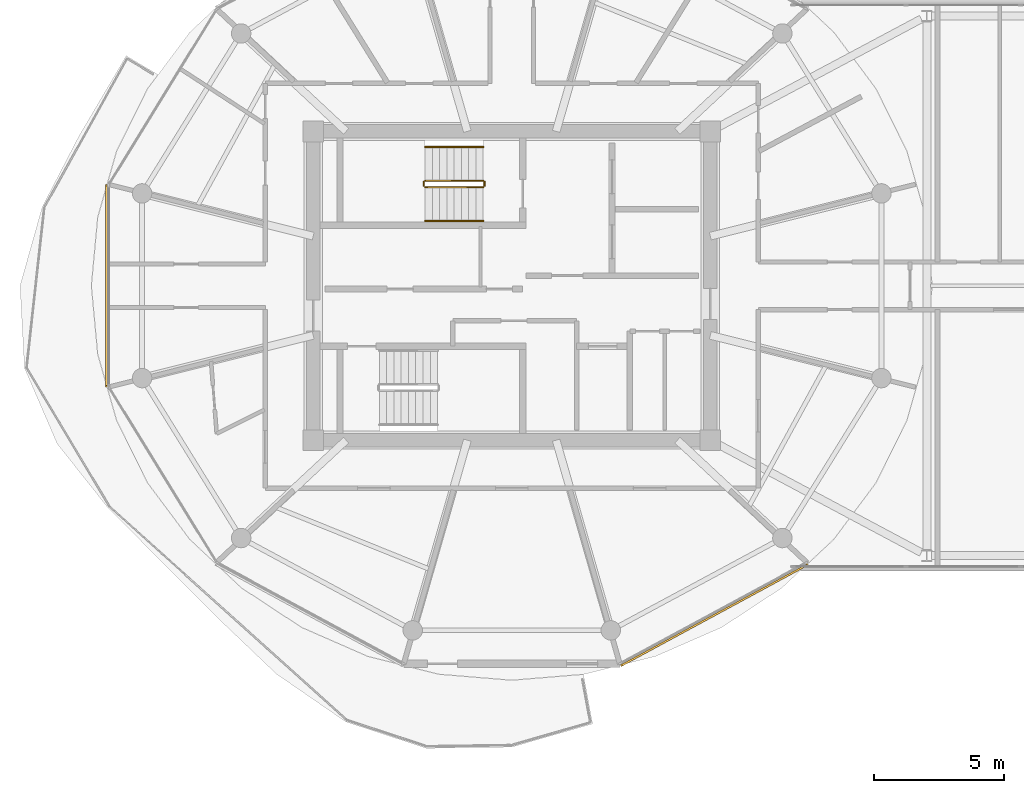
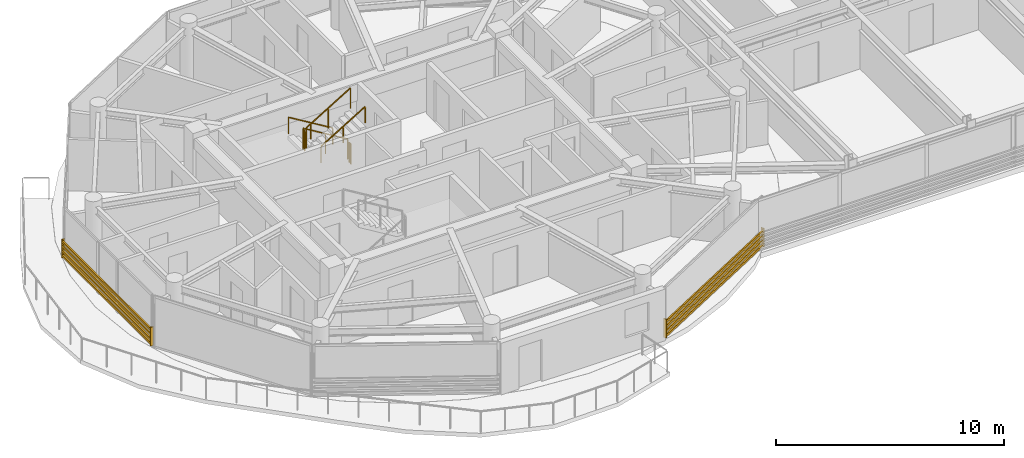
# One storey, part 22 of 24: 6 railings, 2 shading devices.
"""IFC4 building model written with IfcOpenShell, lengths in metres."""

import ifcopenshell
import ifcopenshell.guid

model = None  # the IFC model being written
_history = None  # IfcOwnerHistory: only IFC2X3 demands one
_inside = {}  # id of a spatial element -> (the spatial element, [elements in it])
_under = {}  # id of a project, library or spatial element -> (it, [spatial elements below it])
_declared = {}  # id of a project -> (the project, [libraries it declares])
_typed = {}  # id of a type object -> (the type object, [elements of that type])
_made_of = {}  # id of a material, layer set ... -> (it, [elements and type objects made of it])


def new_model(schema):
    """Start an empty IFC model of exactly this schema.

    Asked for "IFC4X3", IfcOpenShell would pick the latest addendum, in which some entities
    have other attributes; the version numbers below select the first issue.
    IFC2X3 requires an IfcOwnerHistory on every rooted entity: one is made here for all.
    """
    global model, _history
    if schema == "IFC4X3":
        model = ifcopenshell.file(schema_version=(4, 3, 0, 0))
    else:
        model = ifcopenshell.file(schema=schema)
    _inside.clear()
    _under.clear()
    _declared.clear()
    _typed.clear()
    _made_of.clear()
    _history = None
    if model.schema == "IFC2X3":
        org = make("IfcOrganization", Name="unknown")
        user = make(
            "IfcPersonAndOrganization",
            ThePerson=make("IfcPerson", FamilyName="unknown"),
            TheOrganization=org,
        )
        app = make(
            "IfcApplication",
            ApplicationDeveloper=org,
            Version="unknown",
            ApplicationFullName="unknown",
            ApplicationIdentifier="unknown",
        )
        _history = make(
            "IfcOwnerHistory",
            OwningUser=user,
            OwningApplication=app,
            ChangeAction="ADDED",
            CreationDate=0,
        )
    return model


def make(cls, **values):
    """One entity of the class cls with the attributes given. An attribute that is None is left unset."""
    return model.create_entity(
        cls, **{name: value for name, value in values.items() if value is not None}
    )


def rooted(cls, **values):
    """An entity with a GlobalId (a new one), such as an element, a storey or a relation."""
    return make(cls, GlobalId=ifcopenshell.guid.new(), OwnerHistory=_history, **values)


def si_unit(unit_type, name, prefix=None):
    """IfcSIUnit, for example si_unit("LENGTHUNIT", "METRE", prefix="MILLI")."""
    return make("IfcSIUnit", UnitType=unit_type, Prefix=prefix, Name=name)


def assignment(units):
    """IfcUnitAssignment: the units of a project."""
    return None if units is None else make("IfcUnitAssignment", Units=units)


def point(xyz):
    """IfcCartesianPoint."""
    return None if xyz is None else make("IfcCartesianPoint", Coordinates=xyz)


def direction(xyz):
    """IfcDirection."""
    return None if xyz is None else make("IfcDirection", DirectionRatios=xyz)


def frame(location, z_axis=None, x_axis=None):
    """IfcAxis2Placement3D, a coordinate frame: its origin and axes. An axis left out is left unset."""
    return make(
        "IfcAxis2Placement3D",
        Location=point(location),
        Axis=direction(z_axis),
        RefDirection=direction(x_axis),
    )


def frame_2d(location, x_axis=None):
    """IfcAxis2Placement2D, a coordinate frame in the plane: its origin and x axis."""
    return make(
        "IfcAxis2Placement2D", Location=point(location), RefDirection=direction(x_axis)
    )


def origin():
    """The frame at (0, 0, 0) with its axes left unset."""
    return frame((0.0, 0.0, 0.0))


def origin_2d():
    """The frame at (0, 0) in the plane with its x axis left unset."""
    return frame_2d((0.0, 0.0))


def place(relative_to, where):
    """IfcLocalPlacement: puts the frame where relative to a parent placement (None: the world)."""
    return make(
        "IfcLocalPlacement", PlacementRelTo=relative_to, RelativePlacement=where
    )


def context(
    kind, dimensions, precision=None, world=None, true_north=None, identifier=None
):
    """IfcGeometricRepresentationContext, for example the 3D "Model" context."""
    return make(
        "IfcGeometricRepresentationContext",
        ContextIdentifier=identifier,
        ContextType=kind,
        CoordinateSpaceDimension=dimensions,
        Precision=precision,
        WorldCoordinateSystem=world,
        TrueNorth=true_north,
    )


def subcontext(parent, identifier, kind, view, scale=None):
    """IfcGeometricRepresentationSubContext, for example "Body" below "Model"."""
    return make(
        "IfcGeometricRepresentationSubContext",
        ContextIdentifier=identifier,
        ContextType=kind,
        ParentContext=parent,
        TargetScale=scale,
        TargetView=view,
    )


def project(units=None, contexts=None):
    """IfcProject with its units and contexts."""
    return rooted(
        "IfcProject",
        Name="project",
        RepresentationContexts=contexts,
        UnitsInContext=assignment(units),
    )


def spatial(cls, under=None, at=None, **own):
    """A site, building, storey or space (cls), placed at a placement, below another one or the project."""
    s = rooted(cls, ObjectPlacement=at, **own)
    if under is not None:
        _under.setdefault(under.id(), (under, []))[1].append(s)
    return s


def profile(cls, at=None, kind="AREA", **sizes):
    """A parametric profile (cls). Its sizes go by their IFC names, for example OverallWidth=200.0."""
    return make(cls, ProfileType=kind, Position=at, **sizes)


def rectangle(**sizes):
    """IfcRectangleProfileDef."""
    return profile("IfcRectangleProfileDef", **sizes)


def extrude(swept, where, along, depth):
    """IfcExtrudedAreaSolid: the profile swept, set in the frame where, extruded along a direction by depth."""
    return make(
        "IfcExtrudedAreaSolid",
        SweptArea=swept,
        Position=where,
        ExtrudedDirection=direction(along),
        Depth=depth,
    )


def shape(context_of_items, identifier, shape_type, items):
    """IfcShapeRepresentation: the items that make up one representation, for example the "Body"."""
    return make(
        "IfcShapeRepresentation",
        ContextOfItems=context_of_items,
        RepresentationIdentifier=identifier,
        RepresentationType=shape_type,
        Items=items,
    )


def source(mapping_origin, context_of_items, identifier, shape_type, items):
    """IfcRepresentationMap: a shape defined once, which mapped items show again and again."""
    return make(
        "IfcRepresentationMap",
        MappingOrigin=mapping_origin,
        MappedRepresentation=shape(context_of_items, identifier, shape_type, items),
    )


def transform(
    local_origin,
    x_axis=None,
    y_axis=None,
    z_axis=None,
    scale=None,
    scale2=None,
    scale3=None,
    uniform=True,
):
    """IfcCartesianTransformationOperator3D, or its non-uniform kind. x_axis, y_axis, z_axis: its Axis1, 2, 3."""
    if uniform:
        return make(
            "IfcCartesianTransformationOperator3D",
            Axis1=direction(x_axis),
            Axis2=direction(y_axis),
            LocalOrigin=point(local_origin),
            Scale=scale,
            Axis3=direction(z_axis),
        )
    return make(
        "IfcCartesianTransformationOperator3DnonUniform",
        Axis1=direction(x_axis),
        Axis2=direction(y_axis),
        LocalOrigin=point(local_origin),
        Scale=scale,
        Axis3=direction(z_axis),
        Scale2=scale2,
        Scale3=scale3,
    )


def mapped(mapping_source, mapping_target):
    """IfcMappedItem: shows the shape of a source again, moved by a transform."""
    return make(
        "IfcMappedItem", MappingSource=mapping_source, MappingTarget=mapping_target
    )


def material(Name=None, Category=None):
    """IfcMaterial."""
    return make("IfcMaterial", Name=Name, Category=Category)


def made_of(thing, what):
    """Note that an element or type object is made of a material, layer set ...; save() writes the relation."""
    if what is not None:
        _made_of.setdefault(what.id(), (what, []))[1].append(thing)
    return thing


def type_object(cls, material=None, **own):
    """A type object (cls), such as IfcWallType, which elements share."""
    return made_of(rooted(cls, **own), material)


def type_shapes(of_type, sources):
    """Give a type object the sources (RepresentationMaps) that its elements show as mapped items."""
    of_type.RepresentationMaps = sources


def element(
    cls,
    number,
    at=None,
    inside=None,
    cuts=None,
    type_object=None,
    material=None,
    context=None,
    identifier="Body",
    shape_type=None,
    held_by="IfcProductDefinitionShape",
    body=None,
    shapes=None,
    **own,
):
    """One element of the class cls, such as IfcWall. Its Tag is "e" and its number.

    at: its placement. inside: the storey or other place that contains it. cuts: it is an
    opening in that element (IfcRelVoidsElement). A single representation is given by context,
    identifier, shape_type and body (its items); several are given by shapes. held_by: the class
    of the entity that holds the representations. save() writes the other relations.
    """
    e = rooted(cls, Tag="e%d" % number, ObjectPlacement=at, **own)
    if body is not None:
        shapes = [shape(context, identifier, shape_type, body)]
    if shapes is not None:
        e.Representation = make(held_by, Representations=shapes)
    if inside is not None:
        _inside.setdefault(inside.id(), (inside, []))[1].append(e)
    if cuts is not None:
        rooted(
            "IfcRelVoidsElement", RelatingBuildingElement=cuts, RelatedOpeningElement=e
        )
    if type_object is not None:
        _typed.setdefault(type_object.id(), (type_object, []))[1].append(e)
    return made_of(e, material)


def aggregate(whole, parts):
    """IfcRelAggregates: a whole, such as a stair, and the parts it consists of."""
    return rooted("IfcRelAggregates", RelatingObject=whole, RelatedObjects=parts)


def save(model, path):
    """Write the relations noted so far, then the file.

    IfcRelAggregates (storeys below a building ...), IfcRelContainedInSpatialStructure (elements
    in a storey), IfcRelDefinesByType, IfcRelAssociatesMaterial and IfcRelDeclares: one each for
    every whole, place, type object, material and project.
    """
    for whole, parts in _under.values():
        aggregate(whole, parts)
    for where, things in _inside.values():
        rooted(
            "IfcRelContainedInSpatialStructure",
            RelatedElements=things,
            RelatingStructure=where,
        )
    for kind, things in _typed.values():
        rooted("IfcRelDefinesByType", RelatedObjects=things, RelatingType=kind)
    for what, things in _made_of.values():
        rooted("IfcRelAssociatesMaterial", RelatedObjects=things, RelatingMaterial=what)
    for by, libraries in _declared.values():
        rooted("IfcRelDeclares", RelatingContext=by, RelatedDefinitions=libraries)
    model.write(path)


model = new_model("IFC4")

# Units and contexts
model_context = context("Model", 3, precision=1e-05, world=origin(), true_north=direction((0.0, 1.0)))
body_context = subcontext(model_context, "Body", "Model", "MODEL_VIEW")
ifc_project = project(units=[si_unit("LENGTHUNIT", "METRE"), si_unit("AREAUNIT", "SQUARE_METRE"), si_unit("VOLUMEUNIT", "CUBIC_METRE"), si_unit("PLANEANGLEUNIT", "RADIAN"), si_unit("MASSUNIT", "GRAM", prefix="KILO")], contexts=[model_context])

# Site, building, storey
site_placement = place(None, origin())
site = spatial("IfcSite", under=ifc_project, at=site_placement, CompositionType="ELEMENT")
building_placement = place(site_placement, origin())
building = spatial("IfcBuilding", under=site, at=building_placement, Name="Norrkilde Senior Care Towers", CompositionType="ELEMENT")
storey_placement = place(building_placement, frame((0.0, 0.0, 223.050048828125)))
storey = spatial("IfcBuildingStorey", under=building, at=storey_placement, Name="L69", CompositionType="ELEMENT", Elevation=223.050048828125)

# Railings
ifc_material_1 = material(Name="Stainless Steel", Category="steel")
railing_type_1 = type_object("IfcRailingType", Name="Stair and Terrace Guardrail 1100", PredefinedType="GUARDRAIL", material=ifc_material_1)
railing_1_placement = place(storey_placement, frame((-29.10009765625, 4.050048828125, 0.16943359375)))
element("IfcRailing", 1, at=railing_1_placement, inside=storey, type_object=railing_type_1, Name="L69 ST-W1 stair guard 1", PredefinedType="GUARDRAIL", context=body_context, shape_type="SweptSolid", body=[
    extrude(rectangle(XDim=0.048095703125, YDim=0.048095703125, at=origin_2d()), frame((0.0, 0.0, 1.076171875), z_axis=(-0.855553338991, 0.0, 0.51771467445), x_axis=(0.0, -1.0, 0.0)), (0.0, 0.0, 1.0), 2.6181640625),
    extrude(rectangle(XDim=0.0419921875, YDim=0.0419921875, at=origin_2d()), origin(), (0.0, 0.0, 1.0), 1.050048828125),
    extrude(rectangle(XDim=0.0419921875, YDim=0.0419921875, at=origin_2d()), frame((-1.1201171875, 0.0, 0.677734375)), (0.0, 0.0, 1.0), 1.050048828125),
    extrude(rectangle(XDim=0.0419921875, YDim=0.0419921875, at=origin_2d()), frame((-2.239990234375, 0.0, 1.35546875)), (0.0, 0.0, 1.0), 1.050048828125),
])
railing_2_placement = place(storey_placement, frame((-31.389892578125, 4.0, 1.52490234375)))
element("IfcRailing", 2, at=railing_2_placement, inside=storey, type_object=railing_type_1, Name="L69 ST-W1 stair guard 2", PredefinedType="GUARDRAIL", context=body_context, shape_type="SweptSolid", body=[
    extrude(rectangle(XDim=0.048095703125, YDim=0.048095703125, at=origin_2d()), frame((0.0, 0.0, 1.076171875), z_axis=(0.0, -1.0, 0.0), x_axis=(1.0, 0.0, 0.0)), (0.0, 0.0, 1.0), 0.14990234375),
    extrude(rectangle(XDim=0.0419921875, YDim=0.0419921875, at=origin_2d()), origin(), (0.0, 0.0, 1.0), 1.050048828125),
    extrude(rectangle(XDim=0.0419921875, YDim=0.0419921875, at=origin_2d()), frame((0.0, -0.14990234375, 0.0)), (0.0, 0.0, 1.0), 1.050048828125),
])
railing_3_placement = place(storey_placement, frame((-31.340087890625, 3.800048828125, 1.6943359375)))
element("IfcRailing", 3, at=railing_3_placement, inside=storey, type_object=railing_type_1, Name="L69 ST-W1 stair guard 3", PredefinedType="GUARDRAIL", context=body_context, shape_type="SweptSolid", body=[
    extrude(rectangle(XDim=0.048095703125, YDim=0.048095703125, at=origin_2d()), frame((0.0, 0.0, 1.076171875), z_axis=(0.855512035549, 0.0, 0.517782924622), x_axis=(0.0, 1.0, 0.0)), (0.0, 0.0, 1.0), 2.618408203125),
    extrude(rectangle(XDim=0.0419921875, YDim=0.0419921875, at=origin_2d()), origin(), (0.0, 0.0, 1.0), 1.050048828125),
    extrude(rectangle(XDim=0.0419921875, YDim=0.0419921875, at=origin_2d()), frame((1.1201171875, 0.0, 0.677734375)), (0.0, 0.0, 1.0), 1.050048828125),
    extrude(rectangle(XDim=0.0419921875, YDim=0.0419921875, at=origin_2d()), frame((2.239990234375, 0.0, 1.355712890625)), (0.0, 0.0, 1.0), 1.050048828125),
])
railing_4_placement = place(storey_placement, frame((-29.050048828125, 4.0, 0.0)))
element("IfcRailing", 4, at=railing_4_placement, inside=storey, type_object=railing_type_1, Name="L69 ST-W1 stair guard 4", PredefinedType="GUARDRAIL", context=body_context, shape_type="SweptSolid", body=[
    extrude(rectangle(XDim=0.048095703125, YDim=0.048095703125, at=origin_2d()), frame((0.0, 0.0, 1.076171875), z_axis=(0.0, -1.0, 0.0), x_axis=(1.0, 0.0, 0.0)), (0.0, 0.0, 1.0), 0.14990234375),
    extrude(rectangle(XDim=0.0419921875, YDim=0.0419921875, at=origin_2d()), origin(), (0.0, 0.0, 1.0), 1.050048828125),
    extrude(rectangle(XDim=0.0419921875, YDim=0.0419921875, at=origin_2d()), frame((0.0, -0.14990234375, 0.0)), (0.0, 0.0, 1.0), 1.050048828125),
])
ifc_material_2 = material(Name="Nordic Ash Timber", Category="wood")
railing_type_2 = type_object("IfcRailingType", Name="Wall and Stair Handrail 900", PredefinedType="HANDRAIL", material=ifc_material_2)
railing_5_placement = place(storey_placement, frame((-29.10009765625, 5.35009765625, 0.16943359375)))
element("IfcRailing", 5, at=railing_5_placement, inside=storey, type_object=railing_type_2, Name="L69 ST-W1 stair handrail 1", PredefinedType="HANDRAIL", context=body_context, shape_type="SweptSolid", body=[
    extrude(rectangle(XDim=0.048095703125, YDim=0.048095703125, at=origin_2d()), frame((0.0, 0.0, 0.8759765625), z_axis=(-0.855553338991, 0.0, 0.51771467445), x_axis=(0.0, -1.0, 0.0)), (0.0, 0.0, 1.0), 2.6181640625),
    extrude(rectangle(XDim=0.0419921875, YDim=0.0419921875, at=origin_2d()), origin(), (0.0, 0.0, 1.0), 0.849853515625),
    extrude(rectangle(XDim=0.0419921875, YDim=0.0419921875, at=origin_2d()), frame((-1.1201171875, 0.0, 0.677734375)), (0.0, 0.0, 1.0), 0.849853515625),
    extrude(rectangle(XDim=0.0419921875, YDim=0.0419921875, at=origin_2d()), frame((-2.239990234375, 0.0, 1.35546875)), (0.0, 0.0, 1.0), 0.849853515625),
])
railing_6_placement = place(storey_placement, frame((-31.340087890625, 2.5, 1.6943359375)))
element("IfcRailing", 6, at=railing_6_placement, inside=storey, type_object=railing_type_2, Name="L69 ST-W1 stair handrail 2", PredefinedType="HANDRAIL", context=body_context, shape_type="SweptSolid", body=[
    extrude(rectangle(XDim=0.048095703125, YDim=0.048095703125, at=origin_2d()), frame((0.0, 0.0, 0.8759765625), z_axis=(0.855512035549, 0.0, 0.517782924622), x_axis=(0.0, 1.0, 0.0)), (0.0, 0.0, 1.0), 2.618408203125),
    extrude(rectangle(XDim=0.0419921875, YDim=0.0419921875, at=origin_2d()), origin(), (0.0, 0.0, 1.0), 0.849853515625),
    extrude(rectangle(XDim=0.0419921875, YDim=0.0419921875, at=origin_2d()), frame((1.1201171875, 0.0, 0.677734375)), (0.0, 0.0, 1.0), 0.849853515625),
    extrude(rectangle(XDim=0.0419921875, YDim=0.0419921875, at=origin_2d()), frame((2.239990234375, 0.0, 1.355712890625)), (0.0, 0.0, 1.0), 0.849853515625),
])

# Shading devices
ifc_material_3 = material(Name="Architectural Terracotta", Category="masonry")
shading_device_type = type_object("IfcShadingDeviceType", Name="Horizontal Terracotta Baguette Rack", PredefinedType="USERDEFINED", material=ifc_material_3)
shared_shape_1 = source(origin(), body_context, "Body", "SweptSolid", [
    extrude(rectangle(XDim=0.070068359375, YDim=0.110107421875, at=origin_2d()), frame((0.0, 0.090087890625, 0.125), z_axis=(1.0, 0.0, 0.0), x_axis=(0.0, 1.0, 0.0)), (0.0, 0.0, 1.0), 8.197265625),
    extrude(rectangle(XDim=0.070068359375, YDim=0.110107421875, at=origin_2d()), frame((0.0, 0.090087890625, 0.375), z_axis=(1.0, 0.0, 0.0), x_axis=(0.0, 1.0, 0.0)), (0.0, 0.0, 1.0), 8.197265625),
    extrude(rectangle(XDim=0.070068359375, YDim=0.110107421875, at=origin_2d()), frame((0.0, 0.090087890625, 0.625), z_axis=(1.0, 0.0, 0.0), x_axis=(0.0, 1.0, 0.0)), (0.0, 0.0, 1.0), 8.197265625),
    extrude(rectangle(XDim=0.070068359375, YDim=0.110107421875, at=origin_2d()), frame((0.0, 0.090087890625, 0.875), z_axis=(1.0, 0.0, 0.0), x_axis=(0.0, 1.0, 0.0)), (0.0, 0.0, 1.0), 8.197265625),
    extrude(rectangle(XDim=0.050048828125, YDim=0.1552734375, at=origin_2d()), frame((0.02490234375, 0.047607421875, 0.0)), (0.0, 0.0, 1.0), 1.0),
    extrude(rectangle(XDim=0.050048828125, YDim=0.1552734375, at=origin_2d()), frame((8.17236328125, 0.047607421875, 0.0)), (0.0, 0.0, 1.0), 1.0),
])
shading_device_1_placement = place(storey_placement, frame((-16.629638671875, -10.6630859375, 0.079833984375), z_axis=(0.0, 0.0, 1.0), x_axis=(-0.879378127234, -0.476143674053, 0.0)))
element("IfcShadingDevice", 7, at=shading_device_1_placement, inside=storey, type_object=shading_device_type, Name="L69 Drum W Terracotta Baguette Screen 09", ObjectType="BAGUETTE", PredefinedType="USERDEFINED", context=body_context, shape_type="MappedRepresentation", body=[
    mapped(shared_shape_1, transform((0.0, 0.0, 0.0), x_axis=(1.0, 0.0, 0.0), y_axis=(0.0, 1.0, 0.0), z_axis=(0.0, 0.0, 1.0), scale=1.0)),
])
shared_shape_2 = source(origin(), body_context, "Body", "SweptSolid", [
    extrude(rectangle(XDim=0.070068359375, YDim=0.110107421875, at=origin_2d()), frame((0.0, 0.090087890625, 0.125), z_axis=(1.0, 0.0, 0.0), x_axis=(0.0, 1.0, 0.0)), (0.0, 0.0, 1.0), 7.80615234375),
    extrude(rectangle(XDim=0.070068359375, YDim=0.110107421875, at=origin_2d()), frame((0.0, 0.090087890625, 0.375), z_axis=(1.0, 0.0, 0.0), x_axis=(0.0, 1.0, 0.0)), (0.0, 0.0, 1.0), 7.80615234375),
    extrude(rectangle(XDim=0.070068359375, YDim=0.110107421875, at=origin_2d()), frame((0.0, 0.090087890625, 0.625), z_axis=(1.0, 0.0, 0.0), x_axis=(0.0, 1.0, 0.0)), (0.0, 0.0, 1.0), 7.80615234375),
    extrude(rectangle(XDim=0.070068359375, YDim=0.110107421875, at=origin_2d()), frame((0.0, 0.090087890625, 0.875), z_axis=(1.0, 0.0, 0.0), x_axis=(0.0, 1.0, 0.0)), (0.0, 0.0, 1.0), 7.80615234375),
    extrude(rectangle(XDim=0.050048828125, YDim=0.1552734375, at=origin_2d()), frame((0.02490234375, 0.047607421875, 0.0)), (0.0, 0.0, 1.0), 1.0),
    extrude(rectangle(XDim=0.050048828125, YDim=0.1552734375, at=origin_2d()), frame((7.78125, 0.047607421875, 0.0)), (0.0, 0.0, 1.0), 1.0),
])
type_shapes(shading_device_type, [shared_shape_1, shared_shape_2])
shading_device_2_placement = place(storey_placement, frame((-43.531982421875, -3.903076171875, 0.079833984375), z_axis=(0.0, 0.0, 1.0), x_axis=(0.0, 1.0, 0.0)))
element("IfcShadingDevice", 8, at=shading_device_2_placement, inside=storey, type_object=shading_device_type, Name="L69 Drum W Terracotta Baguette Screen 05", ObjectType="BAGUETTE", PredefinedType="USERDEFINED", context=body_context, shape_type="MappedRepresentation", body=[
    mapped(shared_shape_2, transform((0.0, 0.0, 0.0), x_axis=(1.0, 0.0, 0.0), y_axis=(0.0, 1.0, 0.0), z_axis=(0.0, 0.0, 1.0), scale=1.0)),
])

save(model, "model.ifc")
